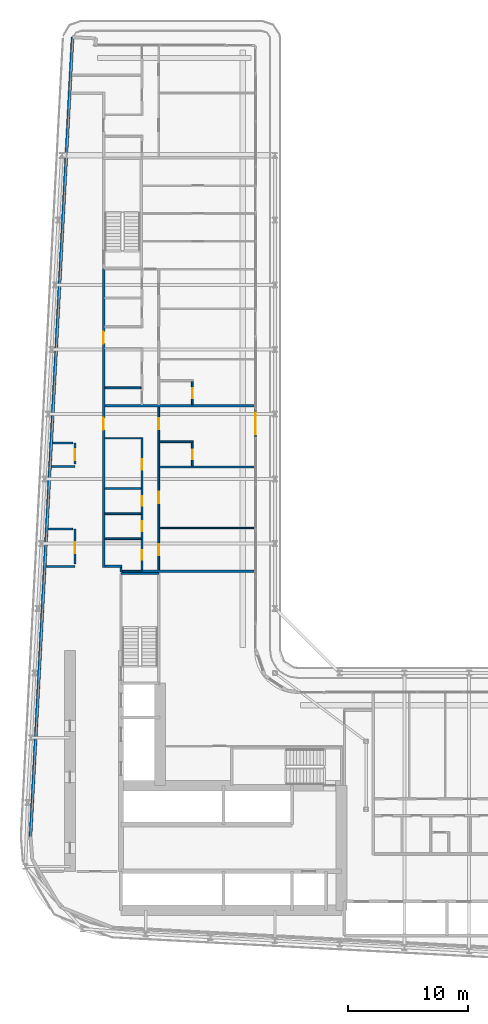
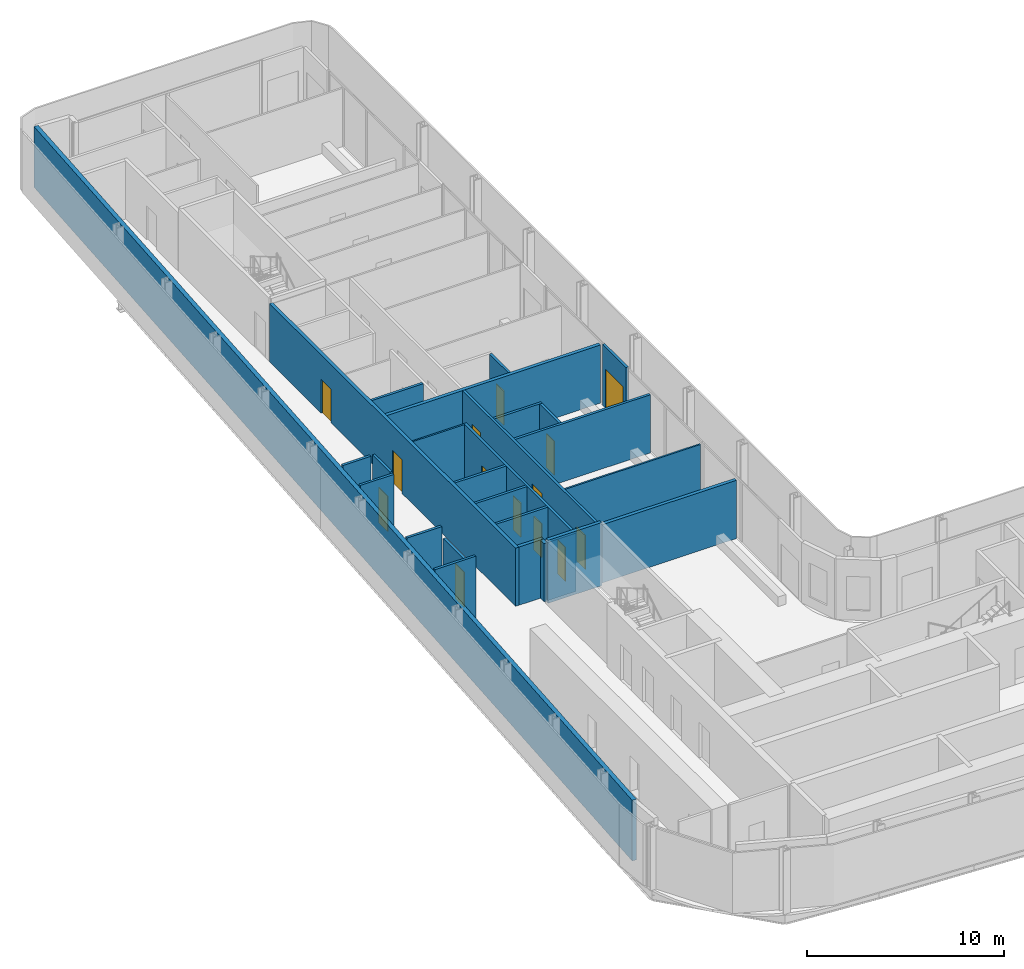
# One storey, part 17 of 28: 27 walls, 14 doors, 14 openings.
"""IFC4 building model written with IfcOpenShell, lengths in metres."""

from ifc_helpers import new_model, si_unit, direction, frame, frame_2d, origin, place, context, subcontext, project, spatial, rectangle, extrude, source, transform, mapped, material, layer, layer_set, type_object, element, fill, save


model = new_model("IFC4")

# Units and contexts
model_context = context("Model", 3, precision=1e-05, world=origin(), true_north=direction((0.0, 1.0)))
body_context = subcontext(model_context, "Body", "Model", "MODEL_VIEW")
ifc_project = project(units=[si_unit("LENGTHUNIT", "METRE"), si_unit("AREAUNIT", "SQUARE_METRE"), si_unit("VOLUMEUNIT", "CUBIC_METRE"), si_unit("PLANEANGLEUNIT", "RADIAN"), si_unit("MASSUNIT", "GRAM", prefix="KILO")], contexts=[model_context])

# Site, building, storey
site_placement = place(None, origin())
site = spatial("IfcSite", under=ifc_project, at=site_placement, CompositionType="ELEMENT")
building_placement = place(site_placement, origin())
building = spatial("IfcBuilding", under=site, at=building_placement, Name="Kheshtan School and Residences Tower", CompositionType="ELEMENT")
storey_placement = place(building_placement, frame((0.0, 0.0, 137.0)))
storey = spatial("IfcBuildingStorey", under=building, at=storey_placement, Name="L32", CompositionType="ELEMENT", Elevation=137.0)

# Wall, openings, doors
ifc_material_1 = material(Name="Gypsum board on steel studs with fire boards", Category="steel")
ifc_layer_1 = layer(ifc_material_1, 0.199951171875)
ifc_layer_set_1 = layer_set([ifc_layer_1], Name="Corridor wall 200")
wall_type_1 = type_object("IfcWallType", Name="Corridor wall 200", PredefinedType="PARTITIONING", material=ifc_layer_set_1)
wall_1_placement = place(storey_placement, frame((33.300048828125, 54.39990234375, 0.0), z_axis=(0.0, 0.0, 1.0), x_axis=(0.0, 1.0, 0.0)))
wall_1 = element("IfcWall", 1, at=wall_1_placement, inside=storey, type_object=wall_type_1, Name="Partition L32-003", PredefinedType="PARTITIONING", context=body_context, shape_type="SweptSolid", body=[
    extrude(rectangle(XDim=24.9501953125, YDim=0.199951171875, at=frame_2d((12.47509765625, 0.0))), origin(), (0.0, 0.0, 1.0), 3.60009765625),
])
opening_1_placement = place(wall_1_placement, frame((11.5, 0.0, 0.0)))
opening_1 = element("IfcOpeningElement", 2, at=opening_1_placement, cuts=wall_1, Name="Opening D32-038", PredefinedType="OPENING", context=body_context, shape_type="SweptSolid", body=[
    extrude(rectangle(XDim=1.0, YDim=2.10009765625, at=frame_2d((0.5, 1.050048828125))), frame((0.0, 0.10986328125, 0.0), z_axis=(0.0, -1.0, 0.0), x_axis=(1.0, 0.0, 0.0)), (0.0, 0.0, 1.0), 0.219970703125),
])
opening_2_placement = place(wall_1_placement, frame((18.699951171875, 0.0, 0.0)))
opening_2 = element("IfcOpeningElement", 3, at=opening_2_placement, cuts=wall_1, Name="Opening D32-048", PredefinedType="OPENING", context=body_context, shape_type="SweptSolid", body=[
    extrude(rectangle(XDim=1.0, YDim=2.10009765625, at=frame_2d((0.5, 1.050048828125))), frame((0.0, 0.10986328125, 0.0), z_axis=(0.0, -1.0, 0.0), x_axis=(1.0, 0.0, 0.0)), (0.0, 0.0, 1.0), 0.219970703125),
])
ifc_material_2 = material(Name="Steel-framed fire-resisting door leaf", Category="steel")
door_type_1 = type_object("IfcDoorType", Name="Fire door FD30S 1000 x 2100", OperationType="SINGLE_SWING_LEFT", PredefinedType="DOOR", material=ifc_material_2)
shared_shape_1 = source(origin(), body_context, "Body", "SweptSolid", [
    extrude(rectangle(XDim=1.0, YDim=2.10009765625, at=frame_2d((0.5, 1.050048828125))), frame((0.0, 0.02490234375, 0.0), z_axis=(0.0, -1.0, 0.0), x_axis=(1.0, 0.0, 0.0)), (0.0, 0.0, 1.0), 0.050048828125),
])
door_1_placement = place(opening_1_placement, origin())
door_1 = element("IfcDoor", 4, at=door_1_placement, inside=storey, type_object=door_type_1, Name="Door D32-038", OperationType="SINGLE_SWING_RIGHT", OverallHeight=2.10009765625, OverallWidth=1.0, PredefinedType="DOOR", context=body_context, shape_type="MappedRepresentation", body=[
    mapped(shared_shape_1, transform((0.0, 0.0, 0.0), x_axis=(1.0, 0.0, 0.0), y_axis=(0.0, 1.0, 0.0), z_axis=(0.0, 0.0, 1.0), scale=1.0)),
])
fill(opening_1, door_1)
door_2_placement = place(opening_2_placement, origin())
door_2 = element("IfcDoor", 5, at=door_2_placement, inside=storey, type_object=door_type_1, Name="Door D32-048", OperationType="SINGLE_SWING_RIGHT", OverallHeight=2.10009765625, OverallWidth=1.0, PredefinedType="DOOR", context=body_context, shape_type="MappedRepresentation", body=[
    mapped(shared_shape_1, transform((0.0, 0.0, 0.0), x_axis=(1.0, 0.0, 0.0), y_axis=(0.0, 1.0, 0.0), z_axis=(0.0, 0.0, 1.0), scale=1.0)),
])
fill(opening_2, door_2)

# Walls
wall_2_placement = place(storey_placement, frame((33.39990234375, 54.5, 0.0), z_axis=(0.0, 0.0, 1.0), x_axis=(1.0, 0.0, 0.0)))
element("IfcWall", 6, at=wall_2_placement, inside=storey, type_object=wall_type_1, Name="Partition L32-005", PredefinedType="PARTITIONING", context=body_context, shape_type="SweptSolid", body=[
    extrude(rectangle(XDim=1.4501953125, YDim=0.199951171875, at=frame_2d((0.72509765625, 0.0))), origin(), (0.0, 0.0, 1.0), 3.60009765625),
])
wall_3_placement = place(storey_placement, frame((34.75, 54.02490234375, 0.0), z_axis=(0.0, 0.0, 1.0), x_axis=(0.0, 1.0, 0.0)))
element("IfcWall", 7, at=wall_3_placement, inside=storey, type_object=wall_type_1, Name="Partition L32-018", PredefinedType="PARTITIONING", context=body_context, shape_type="SweptSolid", body=[
    extrude(rectangle(XDim=0.375, YDim=0.199951171875, at=frame_2d((0.1875, 0.0))), origin(), (0.0, 0.0, 1.0), 3.60009765625),
])
ifc_material_3 = material(Name="Concrete C40/50 with ceramic cladding and mineral wool insulation", Category="concrete")
ifc_layer_2 = layer(ifc_material_3, 0.25)
ifc_layer_set_2 = layer_set([ifc_layer_2], Name="External wall 250 ceramic clad")
wall_type_2 = type_object("IfcWallType", Name="External wall 250 ceramic clad", PredefinedType="SOLIDWALL", material=ifc_layer_set_2)
wall_4_placement = place(storey_placement, frame((27.195068359375, 31.968994140625, 0.0), z_axis=(0.0, 0.0, 1.0), x_axis=(0.052554995867, 0.998618031286, 0.0)))
element("IfcWall", 8, at=wall_4_placement, inside=storey, type_object=wall_type_2, Name="External wall L32 4", PredefinedType="SOLIDWALL", context=body_context, shape_type="SweptSolid", body=[
    extrude(rectangle(XDim=66.787353515625, YDim=0.25, at=frame_2d((33.3935546875, 0.0))), origin(), (0.0, 0.0, 1.0), 3.75),
])

# Wall, opening, door
ifc_material_4 = material(Name="Aluminium frame wall with insulated infill", Category="aluminium")
ifc_layer_3 = layer(ifc_material_4, 0.14990234375)
ifc_layer_set_3 = layer_set([ifc_layer_3], Name="Glazing frame wall 150")
wall_type_3 = type_object("IfcWallType", Name="Glazing frame wall 150", PredefinedType="SOLIDWALL", material=ifc_layer_set_3)
wall_5_placement = place(storey_placement, frame((45.97509765625, 67.617919921875, 0.0), z_axis=(0.0, 0.0, 1.0), x_axis=(0.0, -1.0, 0.0)))
wall_5 = element("IfcWall", 9, at=wall_5_placement, inside=storey, type_object=wall_type_3, Name="Balcony door wall L32 8.4", PredefinedType="SOLIDWALL", context=body_context, shape_type="SweptSolid", body=[
    extrude(rectangle(XDim=2.39990234375, YDim=0.14990234375, at=frame_2d((1.199951171875, 0.0))), origin(), (0.0, 0.0, 1.0), 3.75),
])
opening_3_placement = place(wall_5_placement, frame((0.300048828125, 0.0, 0.0)))
opening_3 = element("IfcOpeningElement", 10, at=opening_3_placement, cuts=wall_5, Name="Opening BD", PredefinedType="OPENING", context=body_context, shape_type="SweptSolid", body=[
    extrude(rectangle(XDim=1.800048828125, YDim=2.39990234375, at=frame_2d((0.89990234375, 1.199951171875))), frame((0.0, 0.0849609375, 0.0), z_axis=(0.0, -1.0, 0.0), x_axis=(1.0, 0.0, 0.0)), (0.0, 0.0, 1.0), 0.169921875),
])
ifc_material_5 = material(Name="Clear low-e glass in thermally broken aluminium frame", Category="aluminium")
door_type_2 = type_object("IfcDoorType", Name="Balcony sliding door", OperationType="SLIDING_TO_LEFT", PredefinedType="DOOR", material=ifc_material_5)
shared_shape_2 = source(origin(), body_context, "Body", "SweptSolid", [
    extrude(rectangle(XDim=1.800048828125, YDim=2.39990234375, at=frame_2d((0.89990234375, 1.199951171875))), frame((0.0, 0.02490234375, 0.0), z_axis=(0.0, -1.0, 0.0), x_axis=(1.0, 0.0, 0.0)), (0.0, 0.0, 1.0), 0.050048828125),
])
door_3_placement = place(opening_3_placement, origin())
door_3 = element("IfcDoor", 11, at=door_3_placement, inside=storey, type_object=door_type_2, Name="Balcony door L32 8.4", OperationType="SLIDING_TO_LEFT", OverallHeight=2.39990234375, OverallWidth=1.800048828125, PredefinedType="DOOR", context=body_context, shape_type="MappedRepresentation", body=[
    mapped(shared_shape_2, transform((0.0, 0.0, 0.0), x_axis=(1.0, 0.0, 0.0), y_axis=(0.0, 1.0, 0.0), z_axis=(0.0, 0.0, 1.0), scale=1.0)),
])
fill(opening_3, door_3)

# Walls
ifc_material_6 = material(Name="Gypsum board on steel studs", Category="steel")
ifc_layer_4 = layer(ifc_material_6, 0.10009765625)
ifc_layer_set_4 = layer_set([ifc_layer_4], Name="Gypsum partition 100")
wall_type_4 = type_object("IfcWallType", Name="Gypsum partition 100", PredefinedType="PARTITIONING", material=ifc_layer_set_4)
wall_6_placement = place(storey_placement, frame((33.39990234375, 65.199951171875, 0.0), z_axis=(0.0, 0.0, 1.0), x_axis=(1.0, 0.0, 0.0)))
element("IfcWall", 12, at=wall_6_placement, inside=storey, type_object=wall_type_4, Name="Partition L32-009", PredefinedType="PARTITIONING", context=body_context, shape_type="SweptSolid", body=[
    extrude(rectangle(XDim=3.025146484375, YDim=0.10009765625, at=frame_2d((1.5126953125, 0.0))), origin(), (0.0, 0.0, 1.0), 3.60009765625),
])
wall_7_placement = place(storey_placement, frame((37.97509765625, 57.699951171875, 0.0), z_axis=(0.0, 0.0, 1.0), x_axis=(1.0, 0.0, 0.0)))
element("IfcWall", 13, at=wall_7_placement, inside=storey, type_object=wall_type_4, Name="Partition L32-034", PredefinedType="PARTITIONING", context=body_context, shape_type="SweptSolid", body=[
    extrude(rectangle(XDim=7.9248046875, YDim=0.10009765625, at=frame_2d((3.96240234375, 0.0))), origin(), (0.0, 0.0, 1.0), 3.60009765625),
])
ifc_material_7 = material(Name="Fire-board shaft wall system")
ifc_layer_5 = layer(ifc_material_7, 0.14990234375)
ifc_layer_set_5 = layer_set([ifc_layer_5], Name="Service room wall 150")
wall_type_5 = type_object("IfcWallType", Name="Service room wall 150", PredefinedType="PARTITIONING", material=ifc_layer_set_5)
wall_8_placement = place(storey_placement, frame((28.508056640625, 54.5, 0.0), z_axis=(0.0, 0.0, 1.0), x_axis=(1.0, 0.0, 0.0)))
element("IfcWall", 14, at=wall_8_placement, inside=storey, type_object=wall_type_5, Name="Service room wall", PredefinedType="PARTITIONING", context=body_context, shape_type="SweptSolid", body=[
    extrude(rectangle(XDim=2.391845703125, YDim=0.14990234375, at=frame_2d((1.19580078125, 0.0))), origin(), (0.0, 0.0, 1.0), 3.89990234375),
])

# Wall, opening, door
wall_9_placement = place(storey_placement, frame((30.89990234375, 54.695068359375, 0.0), z_axis=(0.0, 0.0, 1.0), x_axis=(0.0, 1.0, 0.0)))
wall_9 = element("IfcWall", 15, at=wall_9_placement, inside=storey, type_object=wall_type_5, Name="Service room wall", PredefinedType="PARTITIONING", context=body_context, shape_type="SweptSolid", body=[
    extrude(rectangle(XDim=2.930908203125, YDim=0.14990234375, at=frame_2d((1.46533203125, 0.0))), origin(), (0.0, 0.0, 1.0), 3.072021484375),
])
opening_4_placement = place(wall_9_placement, frame((0.91796875, 0.0, 0.0)))
opening_4 = element("IfcOpeningElement", 16, at=opening_4_placement, cuts=wall_9, Name="Opening SR90", PredefinedType="OPENING", context=body_context, shape_type="SweptSolid", body=[
    extrude(rectangle(XDim=0.89990234375, YDim=2.199951171875, at=frame_2d((0.449951171875, 1.10009765625))), frame((0.0, 0.0849609375, 0.0), z_axis=(0.0, -1.0, 0.0), x_axis=(1.0, 0.0, 0.0)), (0.0, 0.0, 1.0), 0.169921875),
])
ifc_material_8 = material(Name="Steel door leaf, galvanised", Category="steel")
door_type_3 = type_object("IfcDoorType", Name="Service room door 900 steel 90 min", OperationType="SINGLE_SWING_LEFT", PredefinedType="DOOR", material=ifc_material_8)
shared_shape_3 = source(origin(), body_context, "Body", "SweptSolid", [
    extrude(rectangle(XDim=0.89990234375, YDim=2.199951171875, at=frame_2d((0.449951171875, 1.10009765625))), frame((0.0, 0.02490234375, 0.0), z_axis=(0.0, -1.0, 0.0), x_axis=(1.0, 0.0, 0.0)), (0.0, 0.0, 1.0), 0.050048828125),
])
door_4_placement = place(opening_4_placement, origin())
door_4 = element("IfcDoor", 17, at=door_4_placement, inside=storey, type_object=door_type_3, Name="Service room door", OperationType="SINGLE_SWING_LEFT", OverallHeight=2.199951171875, OverallWidth=0.89990234375, PredefinedType="DOOR", context=body_context, shape_type="MappedRepresentation", body=[
    mapped(shared_shape_3, transform((0.0, 0.0, 0.0), x_axis=(1.0, 0.0, 0.0), y_axis=(0.0, 1.0, 0.0), z_axis=(0.0, 0.0, 1.0), scale=1.0)),
])
fill(opening_4, door_4)

# Walls
wall_10_placement = place(storey_placement, frame((28.673095703125, 57.6259765625, 0.0), z_axis=(0.0, 0.0, 1.0), x_axis=(1.0, 0.0, 0.0)))
element("IfcWall", 18, at=wall_10_placement, inside=storey, type_object=wall_type_5, Name="Service room wall", PredefinedType="PARTITIONING", context=body_context, shape_type="SweptSolid", body=[
    extrude(rectangle(XDim=2.031982421875, YDim=0.14990234375, at=frame_2d((1.01611328125, 0.0))), origin(), (0.0, 0.0, 1.0), 3.89990234375),
])
wall_11_placement = place(storey_placement, frame((28.947021484375, 62.8330078125, 0.0), z_axis=(0.0, 0.0, 1.0), x_axis=(1.0, 0.0, 0.0)))
element("IfcWall", 19, at=wall_11_placement, inside=storey, type_object=wall_type_5, Name="Service room wall", PredefinedType="PARTITIONING", context=body_context, shape_type="SweptSolid", body=[
    extrude(rectangle(XDim=1.952880859375, YDim=0.14990234375, at=frame_2d((0.9765625, 0.0))), origin(), (0.0, 0.0, 1.0), 3.89990234375),
])

# Wall, opening, door
wall_12_placement = place(storey_placement, frame((30.89990234375, 63.028076171875, 0.0), z_axis=(0.0, 0.0, 1.0), x_axis=(0.0, 1.0, 0.0)))
wall_12 = element("IfcWall", 20, at=wall_12_placement, inside=storey, type_object=wall_type_5, Name="Service room wall", PredefinedType="PARTITIONING", context=body_context, shape_type="SweptSolid", body=[
    extrude(rectangle(XDim=1.77197265625, YDim=0.14990234375, at=frame_2d((0.885986328125, 0.0))), origin(), (0.0, 0.0, 1.0), 3.89990234375),
])
opening_5_placement = place(wall_12_placement, frame((0.337890625, 0.0, 0.0)))
opening_5 = element("IfcOpeningElement", 21, at=opening_5_placement, cuts=wall_12, Name="Opening SR90", PredefinedType="OPENING", context=body_context, shape_type="SweptSolid", body=[
    extrude(rectangle(XDim=0.89990234375, YDim=2.199951171875, at=frame_2d((0.449951171875, 1.10009765625))), frame((0.0, 0.0849609375, 0.0), z_axis=(0.0, -1.0, 0.0), x_axis=(1.0, 0.0, 0.0)), (0.0, 0.0, 1.0), 0.169921875),
])
door_5_placement = place(opening_5_placement, origin())
door_5 = element("IfcDoor", 22, at=door_5_placement, inside=storey, type_object=door_type_3, Name="Service room door", OperationType="SINGLE_SWING_LEFT", OverallHeight=2.199951171875, OverallWidth=0.89990234375, PredefinedType="DOOR", context=body_context, shape_type="MappedRepresentation", body=[
    mapped(shared_shape_3, transform((0.0, 0.0, 0.0), x_axis=(1.0, 0.0, 0.0), y_axis=(0.0, 1.0, 0.0), z_axis=(0.0, 0.0, 1.0), scale=1.0)),
])
fill(opening_5, door_5)

# Walls
wall_13_placement = place(storey_placement, frame((29.050048828125, 64.800048828125, 0.0), z_axis=(0.0, 0.0, 1.0), x_axis=(1.0, 0.0, 0.0)))
element("IfcWall", 23, at=wall_13_placement, inside=storey, type_object=wall_type_5, Name="Service room wall", PredefinedType="PARTITIONING", context=body_context, shape_type="SweptSolid", body=[
    extrude(rectangle(XDim=1.655029296875, YDim=0.14990234375, at=frame_2d((0.82763671875, 0.0))), origin(), (0.0, 0.0, 1.0), 3.89990234375),
])
ifc_material_9 = material(Name="Concrete C40/50", Category="concrete")
ifc_layer_6 = layer(ifc_material_9, 0.199951171875)
ifc_layer_set_6 = layer_set([ifc_layer_6], Name="Stair enclosure wall 200 Concrete C40/50")
wall_type_6 = type_object("IfcWallType", Name="Stair enclosure wall 200 Concrete C40/50", PredefinedType="SHEAR", material=ifc_layer_set_6)
wall_14_placement = place(storey_placement, frame((34.75, 53.909912109375, 0.0), z_axis=(0.0, 0.0, 1.0), x_axis=(1.0, 0.0, 0.0)))
element("IfcWall", 24, at=wall_14_placement, inside=storey, type_object=wall_type_6, Name="Stair enclosure wall ST2", PredefinedType="SHEAR", context=body_context, shape_type="SweptSolid", body=[
    extrude(rectangle(XDim=3.14990234375, YDim=0.199951171875, at=frame_2d((1.574951171875, 0.0))), origin(), (0.0, 0.0, 1.0), 3.89990234375),
])
ifc_material_10 = material(Name="Twin gypsum board on steel studs with mineral wool", Category="steel")
ifc_layer_7 = layer(ifc_material_10, 0.199951171875)
ifc_layer_set_7 = layer_set([ifc_layer_7], Name="Unit demising wall 200")
wall_type_7 = type_object("IfcWallType", Name="Unit demising wall 200", PredefinedType="PARTITIONING", material=ifc_layer_set_7)
wall_15_placement = place(storey_placement, frame((33.39990234375, 67.89990234375, 0.0), z_axis=(0.0, 0.0, 1.0), x_axis=(1.0, 0.0, 0.0)))
element("IfcWall", 25, at=wall_15_placement, inside=storey, type_object=wall_type_7, Name="Partition L32-010", PredefinedType="PARTITIONING", context=body_context, shape_type="SweptSolid", body=[
    extrude(rectangle(XDim=12.5, YDim=0.199951171875, at=frame_2d((6.25, 0.0))), origin(), (0.0, 0.0, 1.0), 3.60009765625),
])
wall_16_placement = place(storey_placement, frame((36.5, 54.10009765625, 0.0), z_axis=(0.0, 0.0, 1.0), x_axis=(1.0, 0.0, 0.0)))
element("IfcWall", 26, at=wall_16_placement, inside=storey, type_object=wall_type_7, Name="Partition L32-021", PredefinedType="PARTITIONING", context=body_context, shape_type="SweptSolid", body=[
    extrude(rectangle(XDim=9.39990234375, YDim=0.199951171875, at=frame_2d((4.699951171875, 0.0))), origin(), (0.0, 0.0, 1.0), 3.60009765625),
])
ifc_material_11 = material(Name="Moisture-resistant gypsum board on steel studs", Category="steel")
ifc_layer_8 = layer(ifc_material_11, 0.14990234375)
ifc_layer_set_8 = layer_set([ifc_layer_8], Name="Wet-room partition 150")
wall_type_8 = type_object("IfcWallType", Name="Wet-room partition 150", PredefinedType="PARTITIONING", material=ifc_layer_set_8)
for number, where, z_axis, x_axis, name in (
    (27, (33.39990234375, 56.800048828125, 0.0), (0.0, 0.0, 1.0), (1.0, 0.0, 0.0), "Partition L32-006"),
    (28, (33.39990234375, 58.89990234375, 0.0), (0.0, 0.0, 1.0), (1.0, 0.0, 0.0), "Partition L32-007"),
    (29, (33.39990234375, 61.0, 0.0), (0.0, 0.0, 1.0), (1.0, 0.0, 0.0), "Partition L32-008"),
    (30, (33.39990234375, 69.39990234375, 0.0), (0.0, 0.0, 1.0), (1.0, 0.0, 0.0), "Partition L32-011"),
):
    element("IfcWall", number, at=place(storey_placement, frame(where, z_axis=z_axis, x_axis=x_axis)), inside=storey, type_object=wall_type_8, Name=name, PredefinedType="PARTITIONING", context=body_context, shape_type="SweptSolid", body=[
        extrude(rectangle(XDim=3.025146484375, YDim=0.14990234375, at=frame_2d((1.5126953125, 0.0))), origin(), (0.0, 0.0, 1.0), 3.60009765625),
    ])
wall_17_placement = place(storey_placement, frame((34.85009765625, 54.10009765625, 0.0), z_axis=(0.0, 0.0, 1.0), x_axis=(1.0, 0.0, 0.0)))
element("IfcWall", 31, at=wall_17_placement, inside=storey, type_object=wall_type_8, Name="Partition L32-019", PredefinedType="PARTITIONING", context=body_context, shape_type="SweptSolid", body=[
    extrude(rectangle(XDim=1.64990234375, YDim=0.14990234375, at=frame_2d((0.824951171875, 0.0))), origin(), (0.0, 0.0, 1.0), 3.60009765625),
])

# Wall, openings, doors
wall_18_placement = place(storey_placement, frame((36.5, 54.199951171875, 0.0), z_axis=(0.0, 0.0, 1.0), x_axis=(0.0, 1.0, 0.0)))
wall_18 = element("IfcWall", 32, at=wall_18_placement, inside=storey, type_object=wall_type_8, Name="Partition L32-022", PredefinedType="PARTITIONING", context=body_context, shape_type="SweptSolid", body=[
    extrude(rectangle(XDim=11.050048828125, YDim=0.14990234375, at=frame_2d((5.52490234375, 0.0))), origin(), (0.0, 0.0, 1.0), 3.60009765625),
])
opening_6_placement = place(wall_18_placement, frame((0.85009765625, 0.0, 0.0)))
opening_6 = element("IfcOpeningElement", 33, at=opening_6_placement, cuts=wall_18, Name="Opening D32-035", PredefinedType="OPENING", context=body_context, shape_type="SweptSolid", body=[
    extrude(rectangle(XDim=0.800048828125, YDim=2.10009765625, at=frame_2d((0.39990234375, 1.050048828125))), frame((0.0, 0.0849609375, 0.0), z_axis=(0.0, -1.0, 0.0), x_axis=(1.0, 0.0, 0.0)), (0.0, 0.0, 1.0), 0.169921875),
])
opening_7_placement = place(wall_18_placement, frame((8.35009765625, 0.0, 0.0)))
opening_7 = element("IfcOpeningElement", 34, at=opening_7_placement, cuts=wall_18, Name="Opening D32-039", PredefinedType="OPENING", context=body_context, shape_type="SweptSolid", body=[
    extrude(rectangle(XDim=0.89990234375, YDim=2.10009765625, at=frame_2d((0.449951171875, 1.050048828125))), frame((0.0, 0.0849609375, 0.0), z_axis=(0.0, -1.0, 0.0), x_axis=(1.0, 0.0, 0.0)), (0.0, 0.0, 1.0), 0.169921875),
])
opening_8_placement = place(wall_18_placement, frame((3.25, 0.0, 0.0)))
opening_8 = element("IfcOpeningElement", 35, at=opening_8_placement, cuts=wall_18, Name="Opening D32-042", PredefinedType="OPENING", context=body_context, shape_type="SweptSolid", body=[
    extrude(rectangle(XDim=0.800048828125, YDim=2.10009765625, at=frame_2d((0.39990234375, 1.050048828125))), frame((0.0, 0.0849609375, 0.0), z_axis=(0.0, -1.0, 0.0), x_axis=(1.0, 0.0, 0.0)), (0.0, 0.0, 1.0), 0.169921875),
])
opening_9_placement = place(wall_18_placement, frame((5.35009765625, 0.0, 0.0)))
opening_9 = element("IfcOpeningElement", 36, at=opening_9_placement, cuts=wall_18, Name="Opening D32-043", PredefinedType="OPENING", context=body_context, shape_type="SweptSolid", body=[
    extrude(rectangle(XDim=0.800048828125, YDim=2.10009765625, at=frame_2d((0.39990234375, 1.050048828125))), frame((0.0, 0.0849609375, 0.0), z_axis=(0.0, -1.0, 0.0), x_axis=(1.0, 0.0, 0.0)), (0.0, 0.0, 1.0), 0.169921875),
])
ifc_material_12 = material(Name="Veneered timber door leaf", Category="wood")
door_type_4 = type_object("IfcDoorType", Name="Door 800 x 2100", OperationType="SINGLE_SWING_LEFT", PredefinedType="DOOR", material=ifc_material_12)
shared_shape_4 = source(origin(), body_context, "Body", "SweptSolid", [
    extrude(rectangle(XDim=0.800048828125, YDim=2.10009765625, at=frame_2d((0.39990234375, 1.050048828125))), frame((0.0, 0.02490234375, 0.0), z_axis=(0.0, -1.0, 0.0), x_axis=(1.0, 0.0, 0.0)), (0.0, 0.0, 1.0), 0.050048828125),
])
door_6_placement = place(opening_6_placement, origin())
door_6 = element("IfcDoor", 37, at=door_6_placement, inside=storey, type_object=door_type_4, Name="Door D32-035", OperationType="SINGLE_SWING_RIGHT", OverallHeight=2.10009765625, OverallWidth=0.800048828125, PredefinedType="DOOR", context=body_context, shape_type="MappedRepresentation", body=[
    mapped(shared_shape_4, transform((0.0, 0.0, 0.0), x_axis=(1.0, 0.0, 0.0), y_axis=(0.0, 1.0, 0.0), z_axis=(0.0, 0.0, 1.0), scale=1.0)),
])
fill(opening_6, door_6)
door_7_placement = place(opening_8_placement, origin())
door_7 = element("IfcDoor", 38, at=door_7_placement, inside=storey, type_object=door_type_4, Name="Door D32-042", OperationType="SINGLE_SWING_RIGHT", OverallHeight=2.10009765625, OverallWidth=0.800048828125, PredefinedType="DOOR", context=body_context, shape_type="MappedRepresentation", body=[
    mapped(shared_shape_4, transform((0.0, 0.0, 0.0), x_axis=(1.0, 0.0, 0.0), y_axis=(0.0, 1.0, 0.0), z_axis=(0.0, 0.0, 1.0), scale=1.0)),
])
fill(opening_8, door_7)
door_8_placement = place(opening_9_placement, origin())
door_8 = element("IfcDoor", 39, at=door_8_placement, inside=storey, type_object=door_type_4, Name="Door D32-043", OperationType="SINGLE_SWING_RIGHT", OverallHeight=2.10009765625, OverallWidth=0.800048828125, PredefinedType="DOOR", context=body_context, shape_type="MappedRepresentation", body=[
    mapped(shared_shape_4, transform((0.0, 0.0, 0.0), x_axis=(1.0, 0.0, 0.0), y_axis=(0.0, 1.0, 0.0), z_axis=(0.0, 0.0, 1.0), scale=1.0)),
])
fill(opening_9, door_8)
door_type_5 = type_object("IfcDoorType", Name="Door 900 x 2100", OperationType="SINGLE_SWING_LEFT", PredefinedType="DOOR", material=ifc_material_12)
shared_shape_5 = source(origin(), body_context, "Body", "SweptSolid", [
    extrude(rectangle(XDim=0.89990234375, YDim=2.10009765625, at=frame_2d((0.449951171875, 1.050048828125))), frame((0.0, 0.02490234375, 0.0), z_axis=(0.0, -1.0, 0.0), x_axis=(1.0, 0.0, 0.0)), (0.0, 0.0, 1.0), 0.050048828125),
])
door_9_placement = place(opening_7_placement, origin())
door_9 = element("IfcDoor", 40, at=door_9_placement, inside=storey, type_object=door_type_5, Name="Door D32-039", OperationType="SINGLE_SWING_RIGHT", OverallHeight=2.10009765625, OverallWidth=0.89990234375, PredefinedType="DOOR", context=body_context, shape_type="MappedRepresentation", body=[
    mapped(shared_shape_5, transform((0.0, 0.0, 0.0), x_axis=(1.0, 0.0, 0.0), y_axis=(0.0, 1.0, 0.0), z_axis=(0.0, 0.0, 1.0), scale=1.0)),
])
fill(opening_7, door_9)

wall_19_placement = place(storey_placement, frame((37.89990234375, 54.199951171875, 0.0), z_axis=(0.0, 0.0, 1.0), x_axis=(0.0, 1.0, 0.0)))
wall_19 = element("IfcWall", 41, at=wall_19_placement, inside=storey, type_object=wall_type_8, Name="Partition L32-030", PredefinedType="PARTITIONING", context=body_context, shape_type="SweptSolid", body=[
    extrude(rectangle(XDim=13.60009765625, YDim=0.14990234375, at=frame_2d((6.800048828125, 0.0))), origin(), (0.0, 0.0, 1.0), 3.60009765625),
])
opening_10_placement = place(wall_19_placement, frame((1.25, 0.0, 0.0)))
opening_10 = element("IfcOpeningElement", 42, at=opening_10_placement, cuts=wall_19, Name="Opening D32-036", PredefinedType="OPENING", context=body_context, shape_type="SweptSolid", body=[
    extrude(rectangle(XDim=0.89990234375, YDim=2.10009765625, at=frame_2d((0.449951171875, 1.050048828125))), frame((0.0, 0.0849609375, 0.0), z_axis=(0.0, -1.0, 0.0), x_axis=(1.0, 0.0, 0.0)), (0.0, 0.0, 1.0), 0.169921875),
])
opening_11_placement = place(wall_19_placement, frame((5.550048828125, 0.0, 0.0)))
opening_11 = element("IfcOpeningElement", 43, at=opening_11_placement, cuts=wall_19, Name="Opening D32-040", PredefinedType="OPENING", context=body_context, shape_type="SweptSolid", body=[
    extrude(rectangle(XDim=1.0, YDim=2.10009765625, at=frame_2d((0.5, 1.050048828125))), frame((0.0, 0.0849609375, 0.0), z_axis=(0.0, -1.0, 0.0), x_axis=(1.0, 0.0, 0.0)), (0.0, 0.0, 1.0), 0.169921875),
])
opening_12_placement = place(wall_19_placement, frame((11.75, 0.0, 0.0)))
opening_12 = element("IfcOpeningElement", 44, at=opening_12_placement, cuts=wall_19, Name="Opening D32-041", PredefinedType="OPENING", context=body_context, shape_type="SweptSolid", body=[
    extrude(rectangle(XDim=0.89990234375, YDim=2.10009765625, at=frame_2d((0.449951171875, 1.050048828125))), frame((0.0, 0.0849609375, 0.0), z_axis=(0.0, -1.0, 0.0), x_axis=(1.0, 0.0, 0.0)), (0.0, 0.0, 1.0), 0.169921875),
])
door_type_6 = type_object("IfcDoorType", Name="Door 1000 x 2100", OperationType="SINGLE_SWING_LEFT", PredefinedType="DOOR", material=ifc_material_12)
shared_shape_6 = source(origin(), body_context, "Body", "SweptSolid", [
    extrude(rectangle(XDim=1.0, YDim=2.10009765625, at=frame_2d((0.5, 1.050048828125))), frame((0.0, 0.02490234375, 0.0), z_axis=(0.0, -1.0, 0.0), x_axis=(1.0, 0.0, 0.0)), (0.0, 0.0, 1.0), 0.050048828125),
])
door_10_placement = place(opening_11_placement, origin())
door_10 = element("IfcDoor", 45, at=door_10_placement, inside=storey, type_object=door_type_6, Name="Door D32-040", OperationType="SINGLE_SWING_RIGHT", OverallHeight=2.10009765625, OverallWidth=1.0, PredefinedType="DOOR", context=body_context, shape_type="MappedRepresentation", body=[
    mapped(shared_shape_6, transform((0.0, 0.0, 0.0), x_axis=(1.0, 0.0, 0.0), y_axis=(0.0, 1.0, 0.0), z_axis=(0.0, 0.0, 1.0), scale=1.0)),
])
fill(opening_11, door_10)
door_11_placement = place(opening_10_placement, origin())
door_11 = element("IfcDoor", 46, at=door_11_placement, inside=storey, type_object=door_type_5, Name="Door D32-036", OperationType="SINGLE_SWING_LEFT", OverallHeight=2.10009765625, OverallWidth=0.89990234375, PredefinedType="DOOR", context=body_context, shape_type="MappedRepresentation", body=[
    mapped(shared_shape_5, transform((0.0, 0.0, 0.0), x_axis=(1.0, 0.0, 0.0), y_axis=(0.0, 1.0, 0.0), z_axis=(0.0, 0.0, 1.0), scale=1.0)),
])
fill(opening_10, door_11)
door_12_placement = place(opening_12_placement, origin())
door_12 = element("IfcDoor", 47, at=door_12_placement, inside=storey, type_object=door_type_5, Name="Door D32-041", OperationType="SINGLE_SWING_RIGHT", OverallHeight=2.10009765625, OverallWidth=0.89990234375, PredefinedType="DOOR", context=body_context, shape_type="MappedRepresentation", body=[
    mapped(shared_shape_5, transform((0.0, 0.0, 0.0), x_axis=(1.0, 0.0, 0.0), y_axis=(0.0, 1.0, 0.0), z_axis=(0.0, 0.0, 1.0), scale=1.0)),
])
fill(opening_12, door_12)

# Walls
wall_20_placement = place(storey_placement, frame((37.97509765625, 62.800048828125, 0.0), z_axis=(0.0, 0.0, 1.0), x_axis=(1.0, 0.0, 0.0)))
element("IfcWall", 48, at=wall_20_placement, inside=storey, type_object=wall_type_8, Name="Partition L32-035", PredefinedType="PARTITIONING", context=body_context, shape_type="SweptSolid", body=[
    extrude(rectangle(XDim=7.9248046875, YDim=0.14990234375, at=frame_2d((3.96240234375, 0.0))), origin(), (0.0, 0.0, 1.0), 3.60009765625),
])
wall_21_placement = place(storey_placement, frame((37.97509765625, 64.89990234375, 0.0), z_axis=(0.0, 0.0, 1.0), x_axis=(1.0, 0.0, 0.0)))
element("IfcWall", 49, at=wall_21_placement, inside=storey, type_object=wall_type_8, Name="Partition L32-036", PredefinedType="PARTITIONING", context=body_context, shape_type="SweptSolid", body=[
    extrude(rectangle(XDim=2.7998046875, YDim=0.14990234375, at=frame_2d((1.39990234375, 0.0))), origin(), (0.0, 0.0, 1.0), 3.60009765625),
])

# Wall, opening, door
wall_22_placement = place(storey_placement, frame((40.699951171875, 62.875, 0.0), z_axis=(0.0, 0.0, 1.0), x_axis=(0.0, 1.0, 0.0)))
wall_22 = element("IfcWall", 50, at=wall_22_placement, inside=storey, type_object=wall_type_8, Name="Partition L32-041", PredefinedType="PARTITIONING", context=body_context, shape_type="SweptSolid", body=[
    extrude(rectangle(XDim=1.949951171875, YDim=0.14990234375, at=frame_2d((0.97509765625, 0.0))), origin(), (0.0, 0.0, 1.0), 3.60009765625),
])
opening_13_placement = place(wall_22_placement, frame((0.574951171875, 0.0, 0.0)))
opening_13 = element("IfcOpeningElement", 51, at=opening_13_placement, cuts=wall_22, Name="Opening D32-037", PredefinedType="OPENING", context=body_context, shape_type="SweptSolid", body=[
    extrude(rectangle(XDim=0.800048828125, YDim=2.10009765625, at=frame_2d((0.39990234375, 1.050048828125))), frame((0.0, 0.0849609375, 0.0), z_axis=(0.0, -1.0, 0.0), x_axis=(1.0, 0.0, 0.0)), (0.0, 0.0, 1.0), 0.169921875),
])
door_13_placement = place(opening_13_placement, origin())
door_13 = element("IfcDoor", 52, at=door_13_placement, inside=storey, type_object=door_type_4, Name="Door D32-037", OperationType="SINGLE_SWING_RIGHT", OverallHeight=2.10009765625, OverallWidth=0.800048828125, PredefinedType="DOOR", context=body_context, shape_type="MappedRepresentation", body=[
    mapped(shared_shape_4, transform((0.0, 0.0, 0.0), x_axis=(1.0, 0.0, 0.0), y_axis=(0.0, 1.0, 0.0), z_axis=(0.0, 0.0, 1.0), scale=1.0)),
])
fill(opening_13, door_13)

wall_23_placement = place(storey_placement, frame((40.699951171875, 68.0, 0.0), z_axis=(0.0, 0.0, 1.0), x_axis=(0.0, 1.0, 0.0)))
wall_23 = element("IfcWall", 53, at=wall_23_placement, inside=storey, type_object=wall_type_8, Name="Partition L32-042", PredefinedType="PARTITIONING", context=body_context, shape_type="SweptSolid", body=[
    extrude(rectangle(XDim=1.925048828125, YDim=0.14990234375, at=frame_2d((0.96240234375, 0.0))), origin(), (0.0, 0.0, 1.0), 3.60009765625),
])
opening_14_placement = place(wall_23_placement, frame((0.550048828125, 0.0, 0.0)))
opening_14 = element("IfcOpeningElement", 54, at=opening_14_placement, cuts=wall_23, Name="Opening D32-047", PredefinedType="OPENING", context=body_context, shape_type="SweptSolid", body=[
    extrude(rectangle(XDim=0.800048828125, YDim=2.10009765625, at=frame_2d((0.39990234375, 1.050048828125))), frame((0.0, 0.0849609375, 0.0), z_axis=(0.0, -1.0, 0.0), x_axis=(1.0, 0.0, 0.0)), (0.0, 0.0, 1.0), 0.169921875),
])
door_14_placement = place(opening_14_placement, origin())
door_14 = element("IfcDoor", 55, at=door_14_placement, inside=storey, type_object=door_type_4, Name="Door D32-047", OperationType="SINGLE_SWING_RIGHT", OverallHeight=2.10009765625, OverallWidth=0.800048828125, PredefinedType="DOOR", context=body_context, shape_type="MappedRepresentation", body=[
    mapped(shared_shape_4, transform((0.0, 0.0, 0.0), x_axis=(1.0, 0.0, 0.0), y_axis=(0.0, 1.0, 0.0), z_axis=(0.0, 0.0, 1.0), scale=1.0)),
])
fill(opening_14, door_14)

save(model, "model.ifc")
